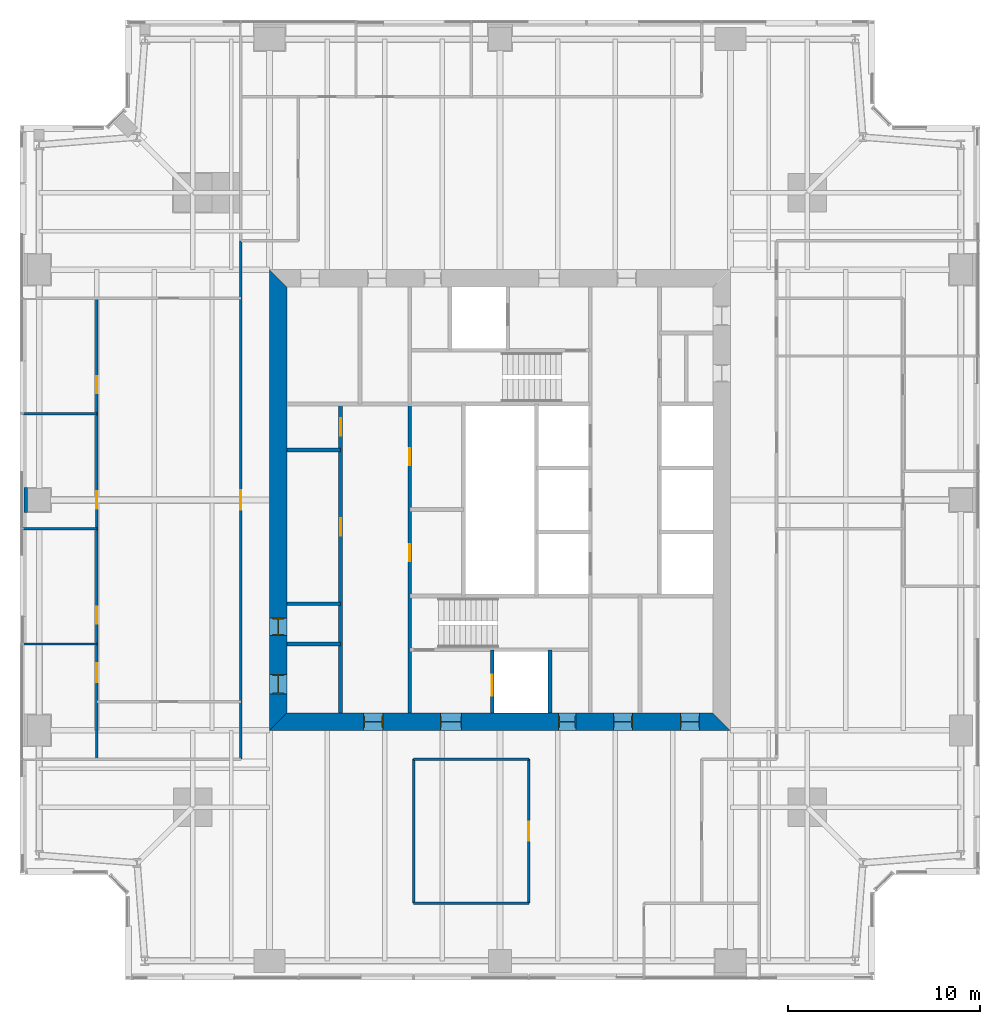
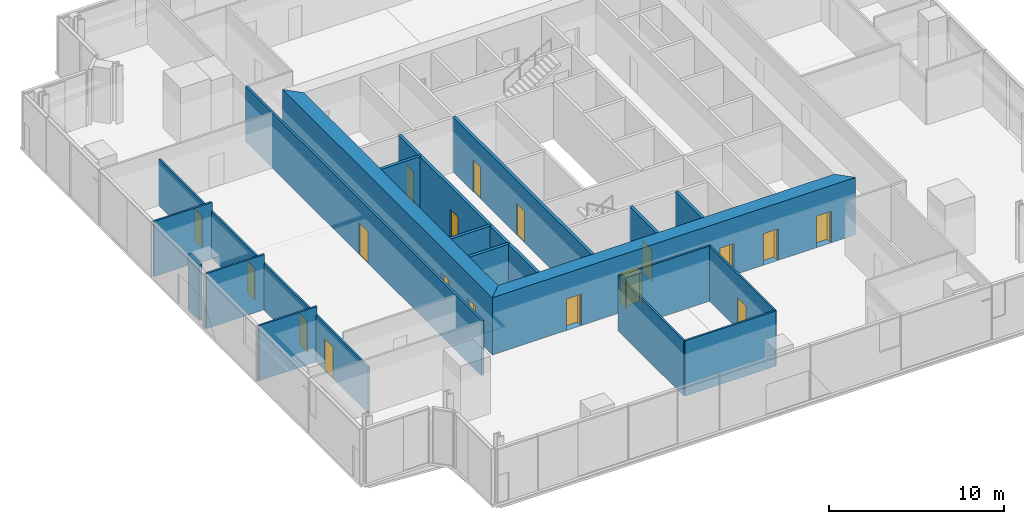
# One storey, part 11 of 16: 19 walls, 18 doors, 18 openings.
"""IFC4 building model written with IfcOpenShell, lengths in metres."""

from ifc_helpers import new_model, si_unit, direction, frame, frame_2d, origin, place, context, subcontext, project, spatial, polyline, rectangle, outline, extrude, material, layer, layer_set, type_object, element, fill, save


model = new_model("IFC4")

# Units and contexts
model_context = context("Model", 3, precision=1e-05, world=origin(), true_north=direction((0.0, 1.0)))
body_context = subcontext(model_context, "Body", "Model", "MODEL_VIEW")
ifc_project = project(units=[si_unit("LENGTHUNIT", "METRE"), si_unit("AREAUNIT", "SQUARE_METRE"), si_unit("VOLUMEUNIT", "CUBIC_METRE"), si_unit("PLANEANGLEUNIT", "RADIAN"), si_unit("MASSUNIT", "GRAM", prefix="KILO")], contexts=[model_context])

# Site, building, storey
site_placement = place(None, origin())
site = spatial("IfcSite", under=ifc_project, at=site_placement, CompositionType="ELEMENT")
building_placement = place(site_placement, origin())
building = spatial("IfcBuilding", under=site, at=building_placement, Name="Fenwick Lantern Interchange", CompositionType="ELEMENT")
storey_placement = place(building_placement, frame((0.0, 0.0, 177.800048828125)))
storey = spatial("IfcBuildingStorey", under=building, at=storey_placement, Name="L41", CompositionType="ELEMENT", Elevation=177.800048828125)

# Wall
ifc_material_1 = material(Name="Fire-rated gypsum board encasement on steel studs, 2 hour", Category="steel")
ifc_layer_1 = layer(ifc_material_1, 1.300048828125)
ifc_layer_set_1 = layer_set([ifc_layer_1], Name="COLUMN PIER 1300")
wall_type_1 = type_object("IfcWallType", Name="COLUMN PIER 1300", PredefinedType="PARTITIONING", material=ifc_layer_set_1)
wall_1_placement = place(storey_placement, frame((0.199951171875, 25.0, 0.0), z_axis=(0.0, 0.0, 1.0), x_axis=(1.0, 0.0, 0.0)))
element("IfcWall", 1, at=wall_1_placement, inside=storey, type_object=wall_type_1, Name="L41/W/PIER/CW3", PredefinedType="PARTITIONING", context=body_context, shape_type="SweptSolid", body=[
    extrude(rectangle(XDim=0.199951171875, YDim=1.300048828125, at=frame_2d((0.10009765625, 0.0))), origin(), (0.0, 0.0, 1.0), 3.849853515625),
])

# Wall, openings, doors
ifc_material_2 = material(Name="Concrete masonry ASTM C90 Grade N", Category="masonry")
ifc_layer_2 = layer(ifc_material_2, 0.199951171875)
ifc_layer_set_2 = layer_set([ifc_layer_2], Name="Concrete masonry ASTM C90 Grade N")
wall_type_2 = type_object("IfcWallType", Name="CORE PARTITION 200", PredefinedType="PARTITIONING", material=ifc_layer_set_2)
wall_2_placement = place(storey_placement, frame((16.699951171875, 13.89990234375, 0.0), z_axis=(0.0, 0.0, 1.0), x_axis=(0.0, 1.0, 0.0)))
wall_2 = element("IfcWall", 2, at=wall_2_placement, inside=storey, type_object=wall_type_2, Name="L41/W/CORES/a", PredefinedType="PARTITIONING", context=body_context, shape_type="SweptSolid", body=[
    extrude(rectangle(XDim=16.10009765625, YDim=0.199951171875, at=frame_2d((8.050048828125, 0.0))), origin(), (0.0, 0.0, 1.0), 3.800048828125),
])
opening_1_placement = place(wall_2_placement, frame((9.25, 0.0, 0.0)))
opening_1 = element("IfcOpeningElement", 3, at=opening_1_placement, cuts=wall_2, Name="Opening L41-D009", PredefinedType="OPENING", context=body_context, shape_type="SweptSolid", body=[
    extrude(rectangle(XDim=0.89990234375, YDim=2.199951171875, at=frame_2d((0.449951171875, 1.10009765625))), frame((0.0, 0.10986328125, 0.0), z_axis=(0.0, -1.0, 0.0), x_axis=(1.0, 0.0, 0.0)), (0.0, 0.0, 1.0), 0.219970703125),
])
opening_2_placement = place(wall_2_placement, frame((14.449951171875, 0.0, 0.0)))
opening_2 = element("IfcOpeningElement", 4, at=opening_2_placement, cuts=wall_2, Name="Opening L41-D010", PredefinedType="OPENING", context=body_context, shape_type="SweptSolid", body=[
    extrude(rectangle(XDim=0.89990234375, YDim=2.199951171875, at=frame_2d((0.449951171875, 1.10009765625))), frame((0.0, 0.10986328125, 0.0), z_axis=(0.0, -1.0, 0.0), x_axis=(1.0, 0.0, 0.0)), (0.0, 0.0, 1.0), 0.219970703125),
])
ifc_material_3 = material(Name="Steel door and frame", Category="steel")
door_type_1 = type_object("IfcDoorType", Name="SERVICE DOOR 900 X 2200", OperationType="SINGLE_SWING_LEFT", PredefinedType="DOOR", material=ifc_material_3)
door_1_placement = place(opening_1_placement, origin())
door_1 = element("IfcDoor", 5, at=door_1_placement, inside=storey, type_object=door_type_1, Name="Service door", OperationType="SINGLE_SWING_LEFT", OverallHeight=2.199951171875, OverallWidth=0.89990234375, PredefinedType="DOOR", context=body_context, shape_type="SweptSolid", body=[
    extrude(rectangle(XDim=0.89990234375, YDim=2.199951171875, at=frame_2d((0.449951171875, 1.10009765625))), frame((0.0, 0.02490234375, 0.0), z_axis=(0.0, -1.0, 0.0), x_axis=(1.0, 0.0, 0.0)), (0.0, 0.0, 1.0), 0.050048828125),
])
fill(opening_1, door_1)
door_2_placement = place(opening_2_placement, origin())
door_2 = element("IfcDoor", 6, at=door_2_placement, inside=storey, type_object=door_type_1, Name="Service door", OperationType="SINGLE_SWING_LEFT", OverallHeight=2.199951171875, OverallWidth=0.89990234375, PredefinedType="DOOR", context=body_context, shape_type="SweptSolid", body=[
    extrude(rectangle(XDim=0.89990234375, YDim=2.199951171875, at=frame_2d((0.449951171875, 1.10009765625))), frame((0.0, 0.02490234375, 0.0), z_axis=(0.0, -1.0, 0.0), x_axis=(1.0, 0.0, 0.0)), (0.0, 0.0, 1.0), 0.050048828125),
])
fill(opening_2, door_2)

# Wall, opening, door
wall_3_placement = place(storey_placement, frame((24.60009765625, 13.89990234375, 0.0), z_axis=(0.0, 0.0, 1.0), x_axis=(0.0, 1.0, 0.0)))
wall_3 = element("IfcWall", 7, at=wall_3_placement, inside=storey, type_object=wall_type_2, Name="L41/W/CORES/h1", PredefinedType="PARTITIONING", context=body_context, shape_type="SweptSolid", body=[
    extrude(rectangle(XDim=3.300048828125, YDim=0.199951171875, at=frame_2d((1.64990234375, 0.0))), origin(), (0.0, 0.0, 1.0), 3.800048828125),
])
opening_3_placement = place(wall_3_placement, frame((0.89990234375, 0.0, 0.0)))
opening_3 = element("IfcOpeningElement", 8, at=opening_3_placement, cuts=wall_3, Name="Opening LD-FL1", PredefinedType="OPENING", context=body_context, shape_type="SweptSolid", body=[
    extrude(rectangle(XDim=1.10009765625, YDim=2.199951171875, at=frame_2d((0.550048828125, 1.10009765625))), frame((0.0, 0.10986328125, 0.0), z_axis=(0.0, -1.0, 0.0), x_axis=(1.0, 0.0, 0.0)), (0.0, 0.0, 1.0), 0.219970703125),
])
door_type_2 = type_object("IfcDoorType", Name="LIFT LANDING DOOR 1100 X 2200", OperationType="DOUBLE_DOOR_SLIDING", PredefinedType="DOOR", material=ifc_material_3)
door_3_placement = place(opening_3_placement, origin())
door_3 = element("IfcDoor", 9, at=door_3_placement, inside=storey, type_object=door_type_2, Name="Lift landing door FL1", OperationType="DOUBLE_DOOR_SLIDING", OverallHeight=2.199951171875, OverallWidth=1.10009765625, PredefinedType="DOOR", context=body_context, shape_type="SweptSolid", body=[
    extrude(rectangle(XDim=1.10009765625, YDim=2.199951171875, at=frame_2d((0.550048828125, 1.10009765625))), frame((0.0, 0.02490234375, 0.0), z_axis=(0.0, -1.0, 0.0), x_axis=(1.0, 0.0, 0.0)), (0.0, 0.0, 1.0), 0.050048828125),
])
fill(opening_3, door_3)

# Walls
wall_4_placement = place(storey_placement, frame((27.60009765625, 13.89990234375, 0.0), z_axis=(0.0, 0.0, 1.0), x_axis=(0.0, 1.0, 0.0)))
element("IfcWall", 10, at=wall_4_placement, inside=storey, type_object=wall_type_2, Name="L41/W/CORES/h2", PredefinedType="PARTITIONING", context=body_context, shape_type="SweptSolid", body=[
    extrude(rectangle(XDim=3.300048828125, YDim=0.199951171875, at=frame_2d((1.64990234375, 0.0))), origin(), (0.0, 0.0, 1.0), 3.800048828125),
])
for number, where, z_axis, x_axis, name in (
    (11, (13.89990234375, 17.5, 0.0), (0.0, 0.0, 1.0), (1.0, 0.0, 0.0), "L41/W/CORES/p1"),
    (12, (13.89990234375, 19.60009765625, 0.0), (0.0, 0.0, 1.0), (1.0, 0.0, 0.0), "L41/W/CORES/p2"),
    (13, (13.89990234375, 27.60009765625, 0.0), (0.0, 0.0, 1.0), (1.0, 0.0, 0.0), "L41/W/CORES/p3"),
):
    element("IfcWall", number, at=place(storey_placement, frame(where, z_axis=z_axis, x_axis=x_axis)), inside=storey, type_object=wall_type_2, Name=name, PredefinedType="PARTITIONING", context=body_context, shape_type="SweptSolid", body=[
        extrude(rectangle(XDim=2.800048828125, YDim=0.199951171875, at=frame_2d((1.39990234375, 0.0))), origin(), (0.0, 0.0, 1.0), 3.800048828125),
    ])

# Wall, openings, doors
ifc_material_4 = material(Name="Concrete f'c 70 MPa", Category="concrete")
ifc_layer_3 = layer(ifc_material_4, 0.89990234375)
ifc_layer_set_3 = layer_set([ifc_layer_3], Name="CORE WALL 900")
wall_type_3 = type_object("IfcWallType", Name="CORE WALL 900", PredefinedType="SHEAR", material=ifc_layer_set_3)
wall_5_placement = place(storey_placement, frame((13.0, 13.449951171875, 0.0), z_axis=(0.0, 0.0, 1.0), x_axis=(1.0, 0.0, 0.0)))
wall_5 = element("IfcWall", 14, at=wall_5_placement, inside=storey, type_object=wall_type_3, Name="L41/CORE/S", PredefinedType="SHEAR", context=body_context, shape_type="SweptSolid", body=[
    extrude(outline(polyline([(0.0, -0.449951171875), (24.0, -0.449951171875), (23.10009765625, 0.449951171875), (0.89990234375, 0.449951171875), (0.0, -0.449951171875)])), origin(), (0.0, 0.0, 1.0), 4.0),
])
opening_4_placement = place(wall_5_placement, frame((4.89990234375, 0.0, 0.0)))
opening_4 = element("IfcOpeningElement", 15, at=opening_4_placement, cuts=wall_5, Name="Opening L41-D001", PredefinedType="OPENING", context=body_context, shape_type="SweptSolid", body=[
    extrude(rectangle(XDim=1.0, YDim=2.199951171875, at=frame_2d((0.5, 1.10009765625))), frame((0.0, 0.4599609375, 0.0), z_axis=(0.0, -1.0, 0.0), x_axis=(1.0, 0.0, 0.0)), (0.0, 0.0, 1.0), 0.919921875),
])
opening_5_placement = place(wall_5_placement, frame((8.89990234375, 0.0, 0.0)))
opening_5 = element("IfcOpeningElement", 16, at=opening_5_placement, cuts=wall_5, Name="Opening L41-D002", PredefinedType="OPENING", context=body_context, shape_type="SweptSolid", body=[
    extrude(rectangle(XDim=1.10009765625, YDim=2.199951171875, at=frame_2d((0.550048828125, 1.10009765625))), frame((0.0, 0.4599609375, 0.0), z_axis=(0.0, -1.0, 0.0), x_axis=(1.0, 0.0, 0.0)), (0.0, 0.0, 1.0), 0.919921875),
])
opening_6_placement = place(wall_5_placement, frame((15.050048828125, 0.0, 0.0)))
opening_6 = element("IfcOpeningElement", 17, at=opening_6_placement, cuts=wall_5, Name="Opening L41-D004", PredefinedType="OPENING", context=body_context, shape_type="SweptSolid", body=[
    extrude(rectangle(XDim=0.89990234375, YDim=2.199951171875, at=frame_2d((0.449951171875, 1.10009765625))), frame((0.0, 0.4599609375, 0.0), z_axis=(0.0, -1.0, 0.0), x_axis=(1.0, 0.0, 0.0)), (0.0, 0.0, 1.0), 0.919921875),
])
opening_7_placement = place(wall_5_placement, frame((17.89990234375, 0.0, 0.0)))
opening_7 = element("IfcOpeningElement", 18, at=opening_7_placement, cuts=wall_5, Name="Opening L41-D005", PredefinedType="OPENING", context=body_context, shape_type="SweptSolid", body=[
    extrude(rectangle(XDim=1.0, YDim=2.199951171875, at=frame_2d((0.5, 1.10009765625))), frame((0.0, 0.4599609375, 0.0), z_axis=(0.0, -1.0, 0.0), x_axis=(1.0, 0.0, 0.0)), (0.0, 0.0, 1.0), 0.919921875),
])
opening_8_placement = place(wall_5_placement, frame((21.39990234375, 0.0, 0.0)))
opening_8 = element("IfcOpeningElement", 19, at=opening_8_placement, cuts=wall_5, Name="Opening L41-D006", PredefinedType="OPENING", context=body_context, shape_type="SweptSolid", body=[
    extrude(rectangle(XDim=1.0, YDim=2.199951171875, at=frame_2d((0.5, 1.10009765625))), frame((0.0, 0.4599609375, 0.0), z_axis=(0.0, -1.0, 0.0), x_axis=(1.0, 0.0, 0.0)), (0.0, 0.0, 1.0), 0.919921875),
])
door_type_3 = type_object("IfcDoorType", Name="CORE LOBBY DOOR 1000 X 2200", OperationType="SINGLE_SWING_LEFT", PredefinedType="DOOR", material=ifc_material_3)
door_4_placement = place(opening_4_placement, origin())
door_4 = element("IfcDoor", 20, at=door_4_placement, inside=storey, type_object=door_type_3, Name="Core lobby door", OperationType="SINGLE_SWING_LEFT", OverallHeight=2.199951171875, OverallWidth=1.0, PredefinedType="DOOR", context=body_context, shape_type="SweptSolid", body=[
    extrude(rectangle(XDim=1.0, YDim=2.199951171875, at=frame_2d((0.5, 1.10009765625))), frame((0.0, 0.02490234375, 0.0), z_axis=(0.0, -1.0, 0.0), x_axis=(1.0, 0.0, 0.0)), (0.0, 0.0, 1.0), 0.050048828125),
    extrude(outline(polyline([(0.0, 0.0), (0.0400390625, 0.0), (0.0400390625, 2.159912109375), (0.9599609375, 2.159912109375), (0.9599609375, 0.0), (1.0, 0.0), (1.0, 2.199951171875), (0.0, 2.199951171875), (0.0, 0.0)])), frame((0.0, 0.300048828125, 0.0), z_axis=(0.0, -1.0, 0.0), x_axis=(1.0, 0.0, 0.0)), (0.0, 0.0, 1.0), 0.60009765625),
])
fill(opening_4, door_4)
door_type_4 = type_object("IfcDoorType", Name="FIRE LOBBY DOOR 1100 X 2200", OperationType="SINGLE_SWING_LEFT", PredefinedType="DOOR", material=ifc_material_3)
door_5_placement = place(opening_5_placement, origin())
door_5 = element("IfcDoor", 21, at=door_5_placement, inside=storey, type_object=door_type_4, Name="Fire lobby door", OperationType="SINGLE_SWING_LEFT", OverallHeight=2.199951171875, OverallWidth=1.10009765625, PredefinedType="DOOR", context=body_context, shape_type="SweptSolid", body=[
    extrude(rectangle(XDim=1.10009765625, YDim=2.199951171875, at=frame_2d((0.550048828125, 1.10009765625))), frame((0.0, 0.02490234375, 0.0), z_axis=(0.0, -1.0, 0.0), x_axis=(1.0, 0.0, 0.0)), (0.0, 0.0, 1.0), 0.050048828125),
    extrude(outline(polyline([(0.0, 0.0), (0.0400390625, 0.0), (0.0400390625, 2.159912109375), (1.06005859375, 2.159912109375), (1.06005859375, 0.0), (1.10009765625, 0.0), (1.10009765625, 2.199951171875), (0.0, 2.199951171875), (0.0, 0.0)])), frame((0.0, 0.300048828125, 0.0), z_axis=(0.0, -1.0, 0.0), x_axis=(1.0, 0.0, 0.0)), (0.0, 0.0, 1.0), 0.60009765625),
])
fill(opening_5, door_5)
door_6_placement = place(opening_6_placement, origin())
door_6 = element("IfcDoor", 22, at=door_6_placement, inside=storey, type_object=door_type_1, Name="Service door", OperationType="SINGLE_SWING_LEFT", OverallHeight=2.199951171875, OverallWidth=0.89990234375, PredefinedType="DOOR", context=body_context, shape_type="SweptSolid", body=[
    extrude(rectangle(XDim=0.89990234375, YDim=2.199951171875, at=frame_2d((0.449951171875, 1.10009765625))), frame((0.0, 0.02490234375, 0.0), z_axis=(0.0, -1.0, 0.0), x_axis=(1.0, 0.0, 0.0)), (0.0, 0.0, 1.0), 0.050048828125),
    extrude(outline(polyline([(0.0, 0.0), (0.0400390625, 0.0), (0.0400390625, 2.159912109375), (0.85986328125, 2.159912109375), (0.85986328125, 0.0), (0.89990234375, 0.0), (0.89990234375, 2.199951171875), (0.0, 2.199951171875), (0.0, 0.0)])), frame((0.0, 0.300048828125, 0.0), z_axis=(0.0, -1.0, 0.0), x_axis=(1.0, 0.0, 0.0)), (0.0, 0.0, 1.0), 0.60009765625),
])
fill(opening_6, door_6)
ifc_material_5 = material(Name="Hardwood door and steel frame", Category="steel")
door_type_5 = type_object("IfcDoorType", Name="WC DOOR 1000 X 2200", OperationType="SINGLE_SWING_LEFT", PredefinedType="DOOR", material=ifc_material_5)
door_7_placement = place(opening_7_placement, origin())
door_7 = element("IfcDoor", 23, at=door_7_placement, inside=storey, type_object=door_type_5, Name="Wc door", OperationType="SINGLE_SWING_RIGHT", OverallHeight=2.199951171875, OverallWidth=1.0, PredefinedType="DOOR", context=body_context, shape_type="SweptSolid", body=[
    extrude(rectangle(XDim=1.0, YDim=2.199951171875, at=frame_2d((0.5, 1.10009765625))), frame((0.0, 0.02490234375, 0.0), z_axis=(0.0, -1.0, 0.0), x_axis=(1.0, 0.0, 0.0)), (0.0, 0.0, 1.0), 0.050048828125),
    extrude(outline(polyline([(0.0, 0.0), (0.0400390625, 0.0), (0.0400390625, 2.159912109375), (0.9599609375, 2.159912109375), (0.9599609375, 0.0), (1.0, 0.0), (1.0, 2.199951171875), (0.0, 2.199951171875), (0.0, 0.0)])), frame((0.0, 0.300048828125, 0.0), z_axis=(0.0, -1.0, 0.0), x_axis=(1.0, 0.0, 0.0)), (0.0, 0.0, 1.0), 0.60009765625),
])
fill(opening_7, door_7)
door_8_placement = place(opening_8_placement, origin())
door_8 = element("IfcDoor", 24, at=door_8_placement, inside=storey, type_object=door_type_5, Name="Wc door", OperationType="SINGLE_SWING_RIGHT", OverallHeight=2.199951171875, OverallWidth=1.0, PredefinedType="DOOR", context=body_context, shape_type="SweptSolid", body=[
    extrude(rectangle(XDim=1.0, YDim=2.199951171875, at=frame_2d((0.5, 1.10009765625))), frame((0.0, 0.02490234375, 0.0), z_axis=(0.0, -1.0, 0.0), x_axis=(1.0, 0.0, 0.0)), (0.0, 0.0, 1.0), 0.050048828125),
    extrude(outline(polyline([(0.0, 0.0), (0.0400390625, 0.0), (0.0400390625, 2.159912109375), (0.9599609375, 2.159912109375), (0.9599609375, 0.0), (1.0, 0.0), (1.0, 2.199951171875), (0.0, 2.199951171875), (0.0, 0.0)])), frame((0.0, 0.300048828125, 0.0), z_axis=(0.0, -1.0, 0.0), x_axis=(1.0, 0.0, 0.0)), (0.0, 0.0, 1.0), 0.60009765625),
])
fill(opening_8, door_8)

wall_6_placement = place(storey_placement, frame((13.449951171875, 36.10009765625, 0.0), z_axis=(0.0, 0.0, 1.0), x_axis=(0.0, -1.0, 0.0)))
wall_6 = element("IfcWall", 25, at=wall_6_placement, inside=storey, type_object=wall_type_3, Name="L41/CORE/W", PredefinedType="SHEAR", context=body_context, shape_type="SweptSolid", body=[
    extrude(outline(polyline([(-0.89990234375, -0.449951171875), (23.10009765625, -0.449951171875), (22.199951171875, 0.449951171875), (0.0, 0.449951171875), (-0.89990234375, -0.449951171875)])), origin(), (0.0, 0.0, 1.0), 4.0),
])
opening_9_placement = place(wall_6_placement, frame((20.199951171875, 0.0, 0.0)))
opening_9 = element("IfcOpeningElement", 26, at=opening_9_placement, cuts=wall_6, Name="Opening L41-D007", PredefinedType="OPENING", context=body_context, shape_type="SweptSolid", body=[
    extrude(rectangle(XDim=1.0, YDim=2.199951171875, at=frame_2d((0.5, 1.10009765625))), frame((0.0, 0.4599609375, 0.0), z_axis=(0.0, -1.0, 0.0), x_axis=(1.0, 0.0, 0.0)), (0.0, 0.0, 1.0), 0.919921875),
])
opening_10_placement = place(wall_6_placement, frame((17.25, 0.0, 0.0)))
opening_10 = element("IfcOpeningElement", 27, at=opening_10_placement, cuts=wall_6, Name="Opening L41-D008", PredefinedType="OPENING", context=body_context, shape_type="SweptSolid", body=[
    extrude(rectangle(XDim=0.89990234375, YDim=2.199951171875, at=frame_2d((0.449951171875, 1.10009765625))), frame((0.0, 0.4599609375, 0.0), z_axis=(0.0, -1.0, 0.0), x_axis=(1.0, 0.0, 0.0)), (0.0, 0.0, 1.0), 0.919921875),
])
door_9_placement = place(opening_10_placement, origin())
door_9 = element("IfcDoor", 28, at=door_9_placement, inside=storey, type_object=door_type_1, Name="Service door", OperationType="SINGLE_SWING_RIGHT", OverallHeight=2.199951171875, OverallWidth=0.89990234375, PredefinedType="DOOR", context=body_context, shape_type="SweptSolid", body=[
    extrude(rectangle(XDim=0.89990234375, YDim=2.199951171875, at=frame_2d((0.449951171875, 1.10009765625))), frame((0.0, 0.02490234375, 0.0), z_axis=(0.0, -1.0, 0.0), x_axis=(1.0, 0.0, 0.0)), (0.0, 0.0, 1.0), 0.050048828125),
    extrude(outline(polyline([(0.0, 0.0), (0.0400390625, 0.0), (0.0400390625, 2.159912109375), (0.85986328125, 2.159912109375), (0.85986328125, 0.0), (0.89990234375, 0.0), (0.89990234375, 2.199951171875), (0.0, 2.199951171875), (0.0, 0.0)])), frame((0.0, 0.300048828125, 0.0), z_axis=(0.0, -1.0, 0.0), x_axis=(1.0, 0.0, 0.0)), (0.0, 0.0, 1.0), 0.60009765625),
])
fill(opening_10, door_9)
door_10_placement = place(opening_9_placement, origin())
door_10 = element("IfcDoor", 29, at=door_10_placement, inside=storey, type_object=door_type_5, Name="Wc door", OperationType="SINGLE_SWING_RIGHT", OverallHeight=2.199951171875, OverallWidth=1.0, PredefinedType="DOOR", context=body_context, shape_type="SweptSolid", body=[
    extrude(rectangle(XDim=1.0, YDim=2.199951171875, at=frame_2d((0.5, 1.10009765625))), frame((0.0, 0.02490234375, 0.0), z_axis=(0.0, -1.0, 0.0), x_axis=(1.0, 0.0, 0.0)), (0.0, 0.0, 1.0), 0.050048828125),
    extrude(outline(polyline([(0.0, 0.0), (0.0400390625, 0.0), (0.0400390625, 2.159912109375), (0.9599609375, 2.159912109375), (0.9599609375, 0.0), (1.0, 0.0), (1.0, 2.199951171875), (0.0, 2.199951171875), (0.0, 0.0)])), frame((0.0, 0.300048828125, 0.0), z_axis=(0.0, -1.0, 0.0), x_axis=(1.0, 0.0, 0.0)), (0.0, 0.0, 1.0), 0.60009765625),
])
fill(opening_9, door_10)

# Wall, opening, door
ifc_material_6 = material(Name="Gypsum board on steel studs, 1 hour", Category="steel")
ifc_layer_4 = layer(ifc_material_6, 0.14990234375)
ifc_layer_set_4 = layer_set([ifc_layer_4], Name="CORRIDOR WALL 150")
wall_type_4 = type_object("IfcWallType", Name="CORRIDOR WALL 150", PredefinedType="PARTITIONING", material=ifc_layer_set_4)
wall_7_placement = place(storey_placement, frame((11.5, 38.5, 0.0), z_axis=(0.0, 0.0, 1.0), x_axis=(0.0, -1.0, 0.0)))
wall_7 = element("IfcWall", 30, at=wall_7_placement, inside=storey, type_object=wall_type_4, Name="L41/W/OFF/W/CW", PredefinedType="PARTITIONING", context=body_context, shape_type="SweptSolid", body=[
    extrude(rectangle(XDim=27.0, YDim=0.14990234375, at=frame_2d((13.5, 0.0))), origin(), (0.0, 0.0, 1.0), 3.849853515625),
])
opening_11_placement = place(wall_7_placement, frame((13.0, 0.0, 0.0)))
opening_11 = element("IfcOpeningElement", 31, at=opening_11_placement, cuts=wall_7, Name="Opening L41-D036", PredefinedType="OPENING", context=body_context, shape_type="SweptSolid", body=[
    extrude(rectangle(XDim=1.0, YDim=2.199951171875, at=frame_2d((0.5, 1.10009765625))), frame((0.0, 0.0849609375, 0.0), z_axis=(0.0, -1.0, 0.0), x_axis=(1.0, 0.0, 0.0)), (0.0, 0.0, 1.0), 0.169921875),
])
door_type_6 = type_object("IfcDoorType", Name="SUITE ENTRANCE DOOR 1000 X 2200", OperationType="SINGLE_SWING_LEFT", PredefinedType="DOOR", material=ifc_material_3)
door_11_placement = place(opening_11_placement, frame((1.0, 0.0, 0.0), z_axis=(0.0, 0.0, 1.0), x_axis=(-1.0, 0.0, 0.0)))
door_11 = element("IfcDoor", 32, at=door_11_placement, inside=storey, type_object=door_type_6, Name="Suite entrance door", OperationType="SINGLE_SWING_RIGHT", OverallHeight=2.199951171875, OverallWidth=1.0, PredefinedType="DOOR", context=body_context, shape_type="SweptSolid", body=[
    extrude(rectangle(XDim=1.0, YDim=2.199951171875, at=frame_2d((0.5, 1.10009765625))), frame((0.0, 0.02490234375, 0.0), z_axis=(0.0, -1.0, 0.0), x_axis=(1.0, 0.0, 0.0)), (0.0, 0.0, 1.0), 0.050048828125),
])
fill(opening_11, door_11)

# Wall
ifc_material_7 = material(Name="Gypsum board on steel studs, acoustic", Category="steel")
ifc_layer_5 = layer(ifc_material_7, 0.125)
ifc_layer_set_5 = layer_set([ifc_layer_5], Name="OFFICE PARTITION 125")
wall_type_5 = type_object("IfcWallType", Name="OFFICE PARTITION 125", PredefinedType="PARTITIONING", material=ifc_layer_set_5)
wall_8_placement = place(storey_placement, frame((20.5, 4.0, 0.0), z_axis=(0.0, 0.0, 1.0), x_axis=(0.0, 1.0, 0.0)))
element("IfcWall", 33, at=wall_8_placement, inside=storey, type_object=wall_type_5, Name="L41/W/OFF/S/X205-1", PredefinedType="PARTITIONING", context=body_context, shape_type="SweptSolid", body=[
    extrude(rectangle(XDim=7.5, YDim=0.125, at=frame_2d((3.75, 0.0))), origin(), (0.0, 0.0, 1.0), 3.849853515625),
])

# Wall, opening, door
wall_9_placement = place(storey_placement, frame((26.5, 4.0, 0.0), z_axis=(0.0, 0.0, 1.0), x_axis=(0.0, 1.0, 0.0)))
wall_9 = element("IfcWall", 34, at=wall_9_placement, inside=storey, type_object=wall_type_5, Name="L41/W/OFF/S/X265-1", PredefinedType="PARTITIONING", context=body_context, shape_type="SweptSolid", body=[
    extrude(rectangle(XDim=7.5, YDim=0.125, at=frame_2d((3.75, 0.0))), origin(), (0.0, 0.0, 1.0), 3.849853515625),
])
opening_12_placement = place(wall_9_placement, frame((3.25, 0.0, 0.0)))
opening_12 = element("IfcOpeningElement", 35, at=opening_12_placement, cuts=wall_9, Name="Opening L41-D022", PredefinedType="OPENING", context=body_context, shape_type="SweptSolid", body=[
    extrude(rectangle(XDim=1.0, YDim=2.199951171875, at=frame_2d((0.5, 1.10009765625))), frame((0.0, 0.072509765625, 0.0), z_axis=(0.0, -1.0, 0.0), x_axis=(1.0, 0.0, 0.0)), (0.0, 0.0, 1.0), 0.14501953125),
])
door_type_7 = type_object("IfcDoorType", Name="MEETING ROOM DOOR 1000 X 2200", OperationType="SINGLE_SWING_LEFT", PredefinedType="DOOR", material=ifc_material_5)
door_12_placement = place(opening_12_placement, origin())
door_12 = element("IfcDoor", 36, at=door_12_placement, inside=storey, type_object=door_type_7, Name="Meeting room door", OperationType="SINGLE_SWING_LEFT", OverallHeight=2.199951171875, OverallWidth=1.0, PredefinedType="DOOR", context=body_context, shape_type="SweptSolid", body=[
    extrude(rectangle(XDim=1.0, YDim=2.199951171875, at=frame_2d((0.5, 1.10009765625))), frame((0.0, 0.02490234375, 0.0), z_axis=(0.0, -1.0, 0.0), x_axis=(1.0, 0.0, 0.0)), (0.0, 0.0, 1.0), 0.050048828125),
])
fill(opening_12, door_12)

# Walls
for number, where, z_axis, x_axis, name in (
    (37, (20.5, 4.0, 0.0), (0.0, 0.0, 1.0), (1.0, 0.0, 0.0), "L41/W/OFF/S/Y40-1"),
    (38, (20.5, 11.5, 0.0), (0.0, 0.0, 1.0), (1.0, 0.0, 0.0), "L41/W/OFF/S/CWS1"),
):
    element("IfcWall", number, at=place(storey_placement, frame(where, z_axis=z_axis, x_axis=x_axis)), inside=storey, type_object=wall_type_5, Name=name, PredefinedType="PARTITIONING", context=body_context, shape_type="SweptSolid", body=[
        extrude(rectangle(XDim=6.0, YDim=0.125, at=frame_2d((3.0, 0.0))), origin(), (0.0, 0.0, 1.0), 3.849853515625),
    ])
for number, where, z_axis, x_axis, name in (
    (39, (0.14990234375, 29.5, 0.0), (0.0, 0.0, 1.0), (1.0, 0.0, 0.0), "L41/W/OFF/W/X205-1"),
    (40, (0.14990234375, 23.5, 0.0), (0.0, 0.0, 1.0), (1.0, 0.0, 0.0), "L41/W/OFF/W/X265-1"),
    (41, (0.14990234375, 17.5, 0.0), (0.0, 0.0, 1.0), (1.0, 0.0, 0.0), "L41/W/OFF/W/X325-1"),
):
    element("IfcWall", number, at=place(storey_placement, frame(where, z_axis=z_axis, x_axis=x_axis)), inside=storey, type_object=wall_type_5, Name=name, PredefinedType="PARTITIONING", context=body_context, shape_type="SweptSolid", body=[
        extrude(rectangle(XDim=3.85009765625, YDim=0.125, at=frame_2d((1.925048828125, 0.0))), origin(), (0.0, 0.0, 1.0), 3.849853515625),
    ])

# Wall, openings, doors
wall_10_placement = place(storey_placement, frame((4.0, 35.5, 0.0), z_axis=(0.0, 0.0, 1.0), x_axis=(0.0, -1.0, 0.0)))
wall_10 = element("IfcWall", 42, at=wall_10_placement, inside=storey, type_object=wall_type_5, Name="L41/W/OFF/W/Y40-1", PredefinedType="PARTITIONING", context=body_context, shape_type="SweptSolid", body=[
    extrude(rectangle(XDim=24.0, YDim=0.125, at=frame_2d((12.0, 0.0))), origin(), (0.0, 0.0, 1.0), 3.23779296875),
])
opening_13_placement = place(wall_10_placement, frame((4.050048828125, 0.0, 0.0)))
opening_13 = element("IfcOpeningElement", 43, at=opening_13_placement, cuts=wall_10, Name="Opening L41-D038", PredefinedType="OPENING", context=body_context, shape_type="SweptSolid", body=[
    extrude(rectangle(XDim=0.89990234375, YDim=2.199951171875, at=frame_2d((0.449951171875, 1.10009765625))), frame((0.0, 0.072509765625, 0.0), z_axis=(0.0, -1.0, 0.0), x_axis=(1.0, 0.0, 0.0)), (0.0, 0.0, 1.0), 0.14501953125),
])
opening_14_placement = place(wall_10_placement, frame((10.050048828125, 0.0, 0.0)))
opening_14 = element("IfcOpeningElement", 44, at=opening_14_placement, cuts=wall_10, Name="Opening L41-D039", PredefinedType="OPENING", context=body_context, shape_type="SweptSolid", body=[
    extrude(rectangle(XDim=0.89990234375, YDim=2.199951171875, at=frame_2d((0.449951171875, 1.10009765625))), frame((0.0, 0.072509765625, 0.0), z_axis=(0.0, -1.0, 0.0), x_axis=(1.0, 0.0, 0.0)), (0.0, 0.0, 1.0), 0.14501953125),
])
opening_15_placement = place(wall_10_placement, frame((16.050048828125, 0.0, 0.0)))
opening_15 = element("IfcOpeningElement", 45, at=opening_15_placement, cuts=wall_10, Name="Opening L41-D040", PredefinedType="OPENING", context=body_context, shape_type="SweptSolid", body=[
    extrude(rectangle(XDim=0.89990234375, YDim=2.199951171875, at=frame_2d((0.449951171875, 1.10009765625))), frame((0.0, 0.072509765625, 0.0), z_axis=(0.0, -1.0, 0.0), x_axis=(1.0, 0.0, 0.0)), (0.0, 0.0, 1.0), 0.14501953125),
])
opening_16_placement = place(wall_10_placement, frame((19.0, 0.0, 0.0)))
opening_16 = element("IfcOpeningElement", 46, at=opening_16_placement, cuts=wall_10, Name="Opening L41-D041", PredefinedType="OPENING", context=body_context, shape_type="SweptSolid", body=[
    extrude(rectangle(XDim=1.0, YDim=2.199951171875, at=frame_2d((0.5, 1.10009765625))), frame((0.0, 0.072509765625, 0.0), z_axis=(0.0, -1.0, 0.0), x_axis=(1.0, 0.0, 0.0)), (0.0, 0.0, 1.0), 0.14501953125),
])
door_13_placement = place(opening_16_placement, frame((1.0, 0.0, 0.0), z_axis=(0.0, 0.0, 1.0), x_axis=(-1.0, 0.0, 0.0)))
door_13 = element("IfcDoor", 47, at=door_13_placement, inside=storey, type_object=door_type_7, Name="Meeting room door", OperationType="SINGLE_SWING_RIGHT", OverallHeight=2.199951171875, OverallWidth=1.0, PredefinedType="DOOR", context=body_context, shape_type="SweptSolid", body=[
    extrude(rectangle(XDim=1.0, YDim=2.199951171875, at=frame_2d((0.5, 1.10009765625))), frame((0.0, 0.02490234375, 0.0), z_axis=(0.0, -1.0, 0.0), x_axis=(1.0, 0.0, 0.0)), (0.0, 0.0, 1.0), 0.050048828125),
])
fill(opening_16, door_13)
door_type_8 = type_object("IfcDoorType", Name="OFFICE DOOR 900 X 2200", OperationType="SINGLE_SWING_LEFT", PredefinedType="DOOR", material=ifc_material_5)
door_14_placement = place(opening_13_placement, frame((0.89990234375, 0.0, 0.0), z_axis=(0.0, 0.0, 1.0), x_axis=(-1.0, 0.0, 0.0)))
door_14 = element("IfcDoor", 48, at=door_14_placement, inside=storey, type_object=door_type_8, Name="Office door", OperationType="SINGLE_SWING_LEFT", OverallHeight=2.199951171875, OverallWidth=0.89990234375, PredefinedType="DOOR", context=body_context, shape_type="SweptSolid", body=[
    extrude(rectangle(XDim=0.89990234375, YDim=2.199951171875, at=frame_2d((0.449951171875, 1.10009765625))), frame((0.0, 0.02490234375, 0.0), z_axis=(0.0, -1.0, 0.0), x_axis=(1.0, 0.0, 0.0)), (0.0, 0.0, 1.0), 0.050048828125),
])
fill(opening_13, door_14)
door_15_placement = place(opening_14_placement, frame((0.89990234375, 0.0, 0.0), z_axis=(0.0, 0.0, 1.0), x_axis=(-1.0, 0.0, 0.0)))
door_15 = element("IfcDoor", 49, at=door_15_placement, inside=storey, type_object=door_type_8, Name="Office door", OperationType="SINGLE_SWING_LEFT", OverallHeight=2.199951171875, OverallWidth=0.89990234375, PredefinedType="DOOR", context=body_context, shape_type="SweptSolid", body=[
    extrude(rectangle(XDim=0.89990234375, YDim=2.199951171875, at=frame_2d((0.449951171875, 1.10009765625))), frame((0.0, 0.02490234375, 0.0), z_axis=(0.0, -1.0, 0.0), x_axis=(1.0, 0.0, 0.0)), (0.0, 0.0, 1.0), 0.050048828125),
])
fill(opening_14, door_15)
door_16_placement = place(opening_15_placement, frame((0.89990234375, 0.0, 0.0), z_axis=(0.0, 0.0, 1.0), x_axis=(-1.0, 0.0, 0.0)))
door_16 = element("IfcDoor", 50, at=door_16_placement, inside=storey, type_object=door_type_8, Name="Office door", OperationType="SINGLE_SWING_LEFT", OverallHeight=2.199951171875, OverallWidth=0.89990234375, PredefinedType="DOOR", context=body_context, shape_type="SweptSolid", body=[
    extrude(rectangle(XDim=0.89990234375, YDim=2.199951171875, at=frame_2d((0.449951171875, 1.10009765625))), frame((0.0, 0.02490234375, 0.0), z_axis=(0.0, -1.0, 0.0), x_axis=(1.0, 0.0, 0.0)), (0.0, 0.0, 1.0), 0.050048828125),
])
fill(opening_15, door_16)

ifc_material_8 = material(Name="Concrete f'c 45 MPa", Category="concrete")
ifc_layer_6 = layer(ifc_material_8, 0.199951171875)
ifc_layer_set_6 = layer_set([ifc_layer_6], Name="STAIR CORE WALL 200")
wall_type_6 = type_object("IfcWallType", Name="STAIR CORE WALL 200", PredefinedType="SOLIDWALL", material=ifc_layer_set_6)
wall_11_placement = place(storey_placement, frame((20.300048828125, 13.89990234375, 0.0), z_axis=(0.0, 0.0, 1.0), x_axis=(0.0, 1.0, 0.0)))
wall_11 = element("IfcWall", 51, at=wall_11_placement, inside=storey, type_object=wall_type_6, Name="L41/W/CORES/b", PredefinedType="SOLIDWALL", context=body_context, shape_type="SweptSolid", body=[
    extrude(rectangle(XDim=16.10009765625, YDim=0.199951171875, at=frame_2d((8.050048828125, 0.0))), origin(), (0.0, 0.0, 1.0), 3.800048828125),
])
opening_17_placement = place(wall_11_placement, frame((7.89990234375, 0.0, 0.0)))
opening_17 = element("IfcOpeningElement", 52, at=opening_17_placement, cuts=wall_11, Name="Opening L41-D011", PredefinedType="OPENING", context=body_context, shape_type="SweptSolid", body=[
    extrude(rectangle(XDim=0.89990234375, YDim=2.199951171875, at=frame_2d((0.449951171875, 1.10009765625))), frame((0.0, 0.10986328125, 0.0), z_axis=(0.0, -1.0, 0.0), x_axis=(1.0, 0.0, 0.0)), (0.0, 0.0, 1.0), 0.219970703125),
])
opening_18_placement = place(wall_11_placement, frame((12.89990234375, 0.0, 0.0)))
opening_18 = element("IfcOpeningElement", 53, at=opening_18_placement, cuts=wall_11, Name="Opening L41-D012", PredefinedType="OPENING", context=body_context, shape_type="SweptSolid", body=[
    extrude(rectangle(XDim=0.89990234375, YDim=2.199951171875, at=frame_2d((0.449951171875, 1.10009765625))), frame((0.0, 0.10986328125, 0.0), z_axis=(0.0, -1.0, 0.0), x_axis=(1.0, 0.0, 0.0)), (0.0, 0.0, 1.0), 0.219970703125),
])
door_17_placement = place(opening_17_placement, frame((0.89990234375, 0.0, 0.0), z_axis=(0.0, 0.0, 1.0), x_axis=(-1.0, 0.0, 0.0)))
door_17 = element("IfcDoor", 54, at=door_17_placement, inside=storey, type_object=door_type_1, Name="Service door", OperationType="SINGLE_SWING_RIGHT", OverallHeight=2.199951171875, OverallWidth=0.89990234375, PredefinedType="DOOR", context=body_context, shape_type="SweptSolid", body=[
    extrude(rectangle(XDim=0.89990234375, YDim=2.199951171875, at=frame_2d((0.449951171875, 1.10009765625))), frame((0.0, 0.02490234375, 0.0), z_axis=(0.0, -1.0, 0.0), x_axis=(1.0, 0.0, 0.0)), (0.0, 0.0, 1.0), 0.050048828125),
])
fill(opening_17, door_17)
door_18_placement = place(opening_18_placement, frame((0.89990234375, 0.0, 0.0), z_axis=(0.0, 0.0, 1.0), x_axis=(-1.0, 0.0, 0.0)))
door_18 = element("IfcDoor", 55, at=door_18_placement, inside=storey, type_object=door_type_1, Name="Service door", OperationType="SINGLE_SWING_RIGHT", OverallHeight=2.199951171875, OverallWidth=0.89990234375, PredefinedType="DOOR", context=body_context, shape_type="SweptSolid", body=[
    extrude(rectangle(XDim=0.89990234375, YDim=2.199951171875, at=frame_2d((0.449951171875, 1.10009765625))), frame((0.0, 0.02490234375, 0.0), z_axis=(0.0, -1.0, 0.0), x_axis=(1.0, 0.0, 0.0)), (0.0, 0.0, 1.0), 0.050048828125),
])
fill(opening_18, door_18)

save(model, "model.ifc")
